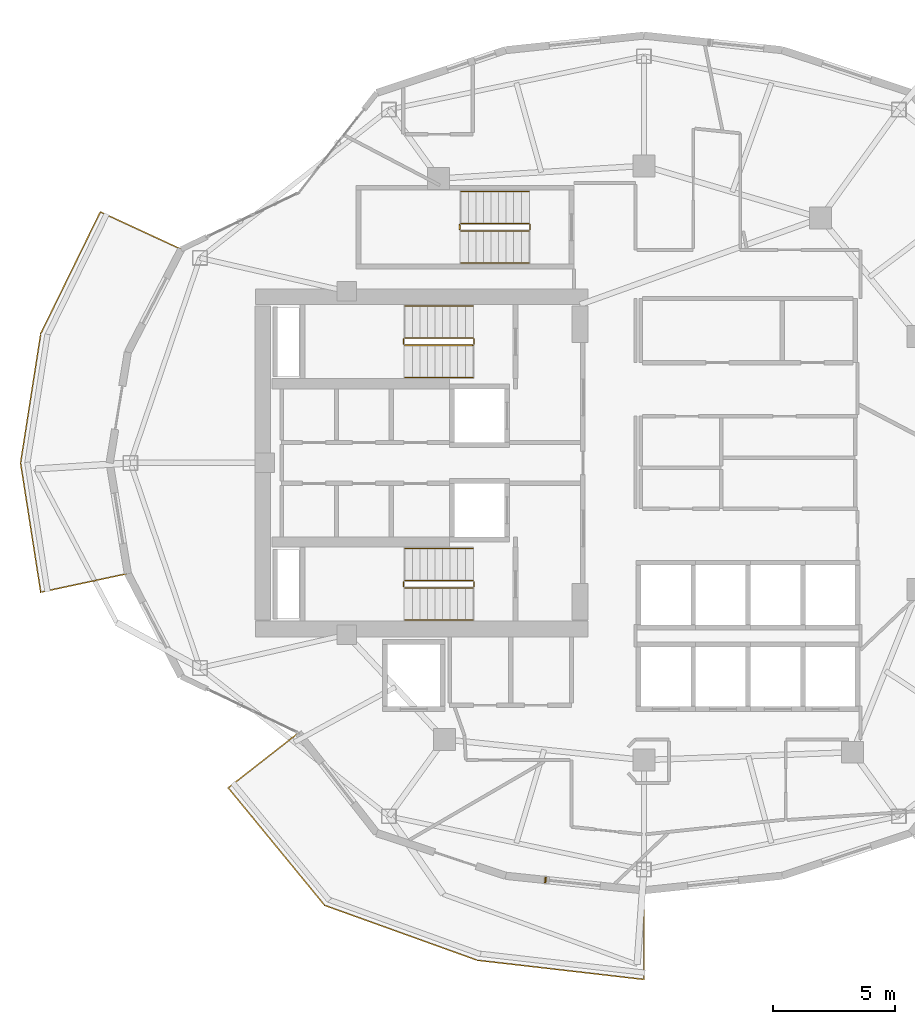
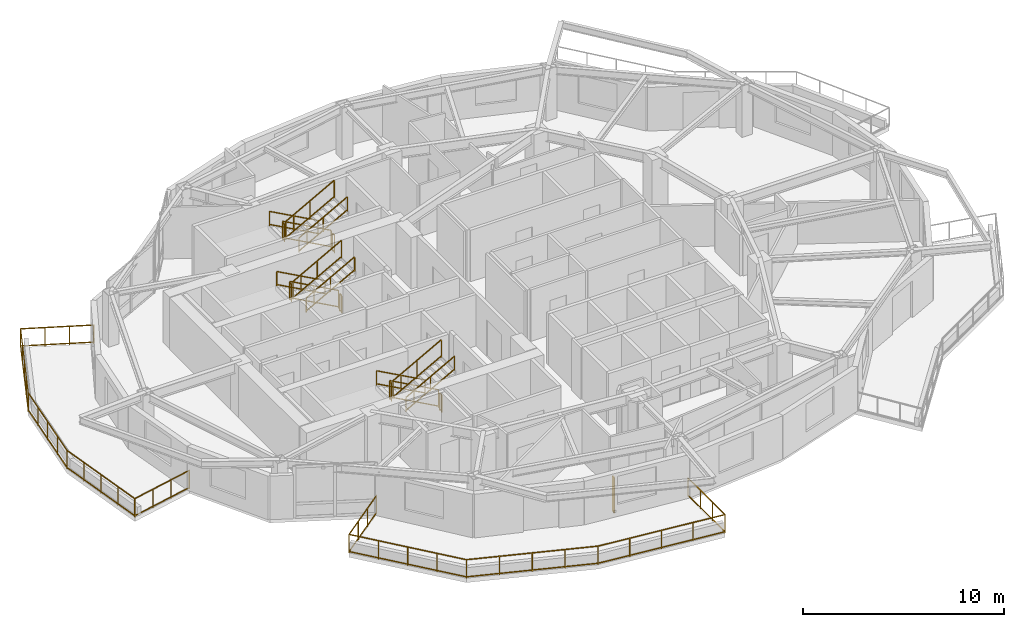
# One storey, part 12 of 13: 20 railings, 1 shading device.
"""IFC4 building model written with IfcOpenShell, lengths in metres."""

from ifc_helpers import new_model, si_unit, direction, frame, origin, origin_2d, place, context, subcontext, project, spatial, rectangle, extrude, material, type_object, element, save


model = new_model("IFC4")

# Units and contexts
model_context = context("Model", 3, precision=1e-05, world=origin(), true_north=direction((0.0, 1.0)))
body_context = subcontext(model_context, "Body", "Model", "MODEL_VIEW")
ifc_project = project(units=[si_unit("LENGTHUNIT", "METRE"), si_unit("AREAUNIT", "SQUARE_METRE"), si_unit("VOLUMEUNIT", "CUBIC_METRE"), si_unit("PLANEANGLEUNIT", "RADIAN"), si_unit("MASSUNIT", "GRAM", prefix="KILO")], contexts=[model_context])

# Site, building, storey
site_placement = place(None, origin())
site = spatial("IfcSite", under=ifc_project, at=site_placement, CompositionType="ELEMENT")
building_placement = place(site_placement, origin())
building = spatial("IfcBuilding", under=site, at=building_placement, Name="Kolvaren Gate Tower and Convention Centre", CompositionType="ELEMENT")
storey_placement = place(building_placement, frame((0.0, 0.0, 156.300048828125)))
storey = spatial("IfcBuildingStorey", under=building, at=storey_placement, Name="L40", CompositionType="ELEMENT", Elevation=156.300048828125)

# Railings
ifc_material_1 = material(Name="Brushed Stainless Steel Grade 316L", Category="steel")
railing_type_1 = type_object("IfcRailingType", Name="ARCH-RL-GUARD-1150", PredefinedType="GUARDRAIL", material=ifc_material_1)
railing_1_placement = place(storey_placement, frame((23.10009765625, 32.1298828125, 0.169921875)))
element("IfcRailing", 1, at=railing_1_placement, inside=storey, type_object=railing_type_1, Name="L40 ST-T1 stair guard 1", PredefinedType="GUARDRAIL", context=body_context, shape_type="SweptSolid", body=[
    extrude(rectangle(XDim=0.048095703125, YDim=0.048095703125, at=origin_2d()), frame((0.0, 0.0, 1.076171875), z_axis=(-0.876811365212, 0.0, 0.480834513982), x_axis=(0.0, -1.0, 0.0)), (0.0, 0.0, 1.0), 3.18212890625),
    extrude(rectangle(XDim=0.048095703125, YDim=0.048095703125, at=origin_2d()), frame((0.0, 0.0, 0.083984375), z_axis=(-0.876811365212, 0.0, 0.480834513982), x_axis=(0.0, -1.0, 0.0)), (0.0, 0.0, 1.0), 3.18212890625),
    extrude(rectangle(XDim=0.0419921875, YDim=0.0419921875, at=origin_2d()), origin(), (0.0, 0.0, 1.0), 1.050048828125),
    extrude(rectangle(XDim=0.0419921875, YDim=0.0419921875, at=origin_2d()), frame((-2.7900390625, 0.0, 1.530029296875)), (0.0, 0.0, 1.0), 1.050048828125),
    extrude(rectangle(XDim=0.0419921875, YDim=0.0419921875, at=origin_2d()), frame((-1.39501953125, 0.0, 0.76513671875)), (0.0, 0.0, 1.0), 1.050048828125),
])
railing_2_placement = place(storey_placement, frame((20.260009765625, 32.080078125, 1.699951171875)))
element("IfcRailing", 2, at=railing_2_placement, inside=storey, type_object=railing_type_1, Name="L40 ST-T1 stair guard 2", PredefinedType="GUARDRAIL", context=body_context, shape_type="SweptSolid", body=[
    extrude(rectangle(XDim=0.048095703125, YDim=0.048095703125, at=origin_2d()), frame((0.0, 0.0, 1.076171875), z_axis=(0.0, -1.0, 0.0), x_axis=(1.0, 0.0, 0.0)), (0.0, 0.0, 1.0), 0.2001953125),
    extrude(rectangle(XDim=0.048095703125, YDim=0.048095703125, at=origin_2d()), frame((0.0, 0.0, 0.083984375), z_axis=(0.0, -1.0, 0.0), x_axis=(1.0, 0.0, 0.0)), (0.0, 0.0, 1.0), 0.2001953125),
    extrude(rectangle(XDim=0.0419921875, YDim=0.0419921875, at=origin_2d()), origin(), (0.0, 0.0, 1.0), 1.050048828125),
    extrude(rectangle(XDim=0.0419921875, YDim=0.0419921875, at=origin_2d()), frame((0.0, -0.2001953125, 0.0)), (0.0, 0.0, 1.0), 1.050048828125),
])
railing_3_placement = place(storey_placement, frame((20.31005859375, 31.830078125, 1.869873046875)))
element("IfcRailing", 3, at=railing_3_placement, inside=storey, type_object=railing_type_1, Name="L40 ST-T1 stair guard 3", PredefinedType="GUARDRAIL", context=body_context, shape_type="SweptSolid", body=[
    extrude(rectangle(XDim=0.048095703125, YDim=0.048095703125, at=origin_2d()), frame((0.0, 0.0, 1.076171875), z_axis=(0.876811365212, 0.0, 0.480834513982), x_axis=(0.0, 1.0, 0.0)), (0.0, 0.0, 1.0), 3.18212890625),
    extrude(rectangle(XDim=0.048095703125, YDim=0.048095703125, at=origin_2d()), frame((0.0, 0.0, 0.083984375), z_axis=(0.876811365212, 0.0, 0.480834513982), x_axis=(0.0, 1.0, 0.0)), (0.0, 0.0, 1.0), 3.18212890625),
    extrude(rectangle(XDim=0.0419921875, YDim=0.0419921875, at=origin_2d()), origin(), (0.0, 0.0, 1.0), 1.050048828125),
    extrude(rectangle(XDim=0.0419921875, YDim=0.0419921875, at=origin_2d()), frame((2.7900390625, 0.0, 1.530029296875)), (0.0, 0.0, 1.0), 1.050048828125),
    extrude(rectangle(XDim=0.0419921875, YDim=0.0419921875, at=origin_2d()), frame((1.39501953125, 0.0, 0.76513671875)), (0.0, 0.0, 1.0), 1.050048828125),
])
railing_4_placement = place(storey_placement, frame((23.14990234375, 32.080078125, 0.0)))
element("IfcRailing", 4, at=railing_4_placement, inside=storey, type_object=railing_type_1, Name="L40 ST-T1 stair guard 4", PredefinedType="GUARDRAIL", context=body_context, shape_type="SweptSolid", body=[
    extrude(rectangle(XDim=0.048095703125, YDim=0.048095703125, at=origin_2d()), frame((0.0, 0.0, 1.076171875), z_axis=(0.0, -1.0, 0.0), x_axis=(1.0, 0.0, 0.0)), (0.0, 0.0, 1.0), 0.2001953125),
    extrude(rectangle(XDim=0.048095703125, YDim=0.048095703125, at=origin_2d()), frame((0.0, 0.0, 0.083984375), z_axis=(0.0, -1.0, 0.0), x_axis=(1.0, 0.0, 0.0)), (0.0, 0.0, 1.0), 0.2001953125),
    extrude(rectangle(XDim=0.0419921875, YDim=0.0419921875, at=origin_2d()), origin(), (0.0, 0.0, 1.0), 1.050048828125),
    extrude(rectangle(XDim=0.0419921875, YDim=0.0419921875, at=origin_2d()), frame((0.0, -0.2001953125, 0.0)), (0.0, 0.0, 1.0), 1.050048828125),
])
railing_5_placement = place(storey_placement, frame((23.10009765625, 22.169921875, 0.169921875)))
element("IfcRailing", 5, at=railing_5_placement, inside=storey, type_object=railing_type_1, Name="L40 ST-T2 stair guard 1", PredefinedType="GUARDRAIL", context=body_context, shape_type="SweptSolid", body=[
    extrude(rectangle(XDim=0.048095703125, YDim=0.048095703125, at=origin_2d()), frame((0.0, 0.0, 1.076171875), z_axis=(-0.876811365212, 0.0, 0.480834513982), x_axis=(0.0, -1.0, 0.0)), (0.0, 0.0, 1.0), 3.18212890625),
    extrude(rectangle(XDim=0.048095703125, YDim=0.048095703125, at=origin_2d()), frame((0.0, 0.0, 0.083984375), z_axis=(-0.876811365212, 0.0, 0.480834513982), x_axis=(0.0, -1.0, 0.0)), (0.0, 0.0, 1.0), 3.18212890625),
    extrude(rectangle(XDim=0.0419921875, YDim=0.0419921875, at=origin_2d()), origin(), (0.0, 0.0, 1.0), 1.050048828125),
    extrude(rectangle(XDim=0.0419921875, YDim=0.0419921875, at=origin_2d()), frame((-2.7900390625, 0.0, 1.530029296875)), (0.0, 0.0, 1.0), 1.050048828125),
    extrude(rectangle(XDim=0.0419921875, YDim=0.0419921875, at=origin_2d()), frame((-1.39501953125, 0.0, 0.76513671875)), (0.0, 0.0, 1.0), 1.050048828125),
])
railing_6_placement = place(storey_placement, frame((20.260009765625, 22.1201171875, 1.699951171875)))
element("IfcRailing", 6, at=railing_6_placement, inside=storey, type_object=railing_type_1, Name="L40 ST-T2 stair guard 2", PredefinedType="GUARDRAIL", context=body_context, shape_type="SweptSolid", body=[
    extrude(rectangle(XDim=0.048095703125, YDim=0.048095703125, at=origin_2d()), frame((0.0, 0.0, 1.076171875), z_axis=(0.0, -1.0, 0.0), x_axis=(1.0, 0.0, 0.0)), (0.0, 0.0, 1.0), 0.2001953125),
    extrude(rectangle(XDim=0.048095703125, YDim=0.048095703125, at=origin_2d()), frame((0.0, 0.0, 0.083984375), z_axis=(0.0, -1.0, 0.0), x_axis=(1.0, 0.0, 0.0)), (0.0, 0.0, 1.0), 0.2001953125),
    extrude(rectangle(XDim=0.0419921875, YDim=0.0419921875, at=origin_2d()), origin(), (0.0, 0.0, 1.0), 1.050048828125),
    extrude(rectangle(XDim=0.0419921875, YDim=0.0419921875, at=origin_2d()), frame((0.0, -0.2001953125, 0.0)), (0.0, 0.0, 1.0), 1.050048828125),
])
railing_7_placement = place(storey_placement, frame((20.31005859375, 21.8701171875, 1.869873046875)))
element("IfcRailing", 7, at=railing_7_placement, inside=storey, type_object=railing_type_1, Name="L40 ST-T2 stair guard 3", PredefinedType="GUARDRAIL", context=body_context, shape_type="SweptSolid", body=[
    extrude(rectangle(XDim=0.048095703125, YDim=0.048095703125, at=origin_2d()), frame((0.0, 0.0, 1.076171875), z_axis=(0.876811365212, 0.0, 0.480834513982), x_axis=(0.0, 1.0, 0.0)), (0.0, 0.0, 1.0), 3.18212890625),
    extrude(rectangle(XDim=0.048095703125, YDim=0.048095703125, at=origin_2d()), frame((0.0, 0.0, 0.083984375), z_axis=(0.876811365212, 0.0, 0.480834513982), x_axis=(0.0, 1.0, 0.0)), (0.0, 0.0, 1.0), 3.18212890625),
    extrude(rectangle(XDim=0.0419921875, YDim=0.0419921875, at=origin_2d()), origin(), (0.0, 0.0, 1.0), 1.050048828125),
    extrude(rectangle(XDim=0.0419921875, YDim=0.0419921875, at=origin_2d()), frame((2.7900390625, 0.0, 1.530029296875)), (0.0, 0.0, 1.0), 1.050048828125),
    extrude(rectangle(XDim=0.0419921875, YDim=0.0419921875, at=origin_2d()), frame((1.39501953125, 0.0, 0.76513671875)), (0.0, 0.0, 1.0), 1.050048828125),
])
railing_8_placement = place(storey_placement, frame((23.14990234375, 22.1201171875, 0.0)))
element("IfcRailing", 8, at=railing_8_placement, inside=storey, type_object=railing_type_1, Name="L40 ST-T2 stair guard 4", PredefinedType="GUARDRAIL", context=body_context, shape_type="SweptSolid", body=[
    extrude(rectangle(XDim=0.048095703125, YDim=0.048095703125, at=origin_2d()), frame((0.0, 0.0, 1.076171875), z_axis=(0.0, -1.0, 0.0), x_axis=(1.0, 0.0, 0.0)), (0.0, 0.0, 1.0), 0.2001953125),
    extrude(rectangle(XDim=0.048095703125, YDim=0.048095703125, at=origin_2d()), frame((0.0, 0.0, 0.083984375), z_axis=(0.0, -1.0, 0.0), x_axis=(1.0, 0.0, 0.0)), (0.0, 0.0, 1.0), 0.2001953125),
    extrude(rectangle(XDim=0.0419921875, YDim=0.0419921875, at=origin_2d()), origin(), (0.0, 0.0, 1.0), 1.050048828125),
    extrude(rectangle(XDim=0.0419921875, YDim=0.0419921875, at=origin_2d()), frame((0.0, -0.2001953125, 0.0)), (0.0, 0.0, 1.0), 1.050048828125),
])
railing_9_placement = place(storey_placement, frame((25.39990234375, 36.830078125, 0.169921875)))
element("IfcRailing", 9, at=railing_9_placement, inside=storey, type_object=railing_type_1, Name="L40 ST-T3 stair guard 1", PredefinedType="GUARDRAIL", context=body_context, shape_type="SweptSolid", body=[
    extrude(rectangle(XDim=0.048095703125, YDim=0.048095703125, at=origin_2d()), frame((0.0, 0.0, 1.076171875), z_axis=(-0.8767936245, 0.0, 0.480866863109), x_axis=(0.0, -1.0, 0.0)), (0.0, 0.0, 1.0), 3.181884765625),
    extrude(rectangle(XDim=0.048095703125, YDim=0.048095703125, at=origin_2d()), frame((0.0, 0.0, 0.083984375), z_axis=(-0.8767936245, 0.0, 0.480866863109), x_axis=(0.0, -1.0, 0.0)), (0.0, 0.0, 1.0), 3.181884765625),
    extrude(rectangle(XDim=0.0419921875, YDim=0.0419921875, at=origin_2d()), origin(), (0.0, 0.0, 1.0), 1.050048828125),
    extrude(rectangle(XDim=0.0419921875, YDim=0.0419921875, at=origin_2d()), frame((-2.789794921875, 0.0, 1.530029296875)), (0.0, 0.0, 1.0), 1.050048828125),
    extrude(rectangle(XDim=0.0419921875, YDim=0.0419921875, at=origin_2d()), frame((-1.39501953125, 0.0, 0.76513671875)), (0.0, 0.0, 1.0), 1.050048828125),
])
railing_10_placement = place(storey_placement, frame((22.56005859375, 36.780029296875, 1.699951171875)))
element("IfcRailing", 10, at=railing_10_placement, inside=storey, type_object=railing_type_1, Name="L40 ST-T3 stair guard 2", PredefinedType="GUARDRAIL", context=body_context, shape_type="SweptSolid", body=[
    extrude(rectangle(XDim=0.048095703125, YDim=0.048095703125, at=origin_2d()), frame((0.0, 0.0, 1.076171875), z_axis=(0.0, -1.0, 0.0), x_axis=(1.0, 0.0, 0.0)), (0.0, 0.0, 1.0), 0.199951171875),
    extrude(rectangle(XDim=0.048095703125, YDim=0.048095703125, at=origin_2d()), frame((0.0, 0.0, 0.083984375), z_axis=(0.0, -1.0, 0.0), x_axis=(1.0, 0.0, 0.0)), (0.0, 0.0, 1.0), 0.199951171875),
    extrude(rectangle(XDim=0.0419921875, YDim=0.0419921875, at=origin_2d()), origin(), (0.0, 0.0, 1.0), 1.050048828125),
    extrude(rectangle(XDim=0.0419921875, YDim=0.0419921875, at=origin_2d()), frame((0.0, -0.199951171875, 0.0)), (0.0, 0.0, 1.0), 1.050048828125),
])
railing_11_placement = place(storey_placement, frame((22.610107421875, 36.530029296875, 1.869873046875)))
element("IfcRailing", 11, at=railing_11_placement, inside=storey, type_object=railing_type_1, Name="L40 ST-T3 stair guard 3", PredefinedType="GUARDRAIL", context=body_context, shape_type="SweptSolid", body=[
    extrude(rectangle(XDim=0.048095703125, YDim=0.048095703125, at=origin_2d()), frame((0.0, 0.0, 1.076171875), z_axis=(0.8767936245, 0.0, 0.480866863109), x_axis=(0.0, 1.0, 0.0)), (0.0, 0.0, 1.0), 3.181884765625),
    extrude(rectangle(XDim=0.048095703125, YDim=0.048095703125, at=origin_2d()), frame((0.0, 0.0, 0.083984375), z_axis=(0.8767936245, 0.0, 0.480866863109), x_axis=(0.0, 1.0, 0.0)), (0.0, 0.0, 1.0), 3.181884765625),
    extrude(rectangle(XDim=0.0419921875, YDim=0.0419921875, at=origin_2d()), origin(), (0.0, 0.0, 1.0), 1.050048828125),
    extrude(rectangle(XDim=0.0419921875, YDim=0.0419921875, at=origin_2d()), frame((2.789794921875, 0.0, 1.530029296875)), (0.0, 0.0, 1.0), 1.050048828125),
    extrude(rectangle(XDim=0.0419921875, YDim=0.0419921875, at=origin_2d()), frame((1.39501953125, 0.0, 0.76513671875)), (0.0, 0.0, 1.0), 1.050048828125),
])
railing_12_placement = place(storey_placement, frame((25.449951171875, 36.780029296875, 0.0)))
element("IfcRailing", 12, at=railing_12_placement, inside=storey, type_object=railing_type_1, Name="L40 ST-T3 stair guard 4", PredefinedType="GUARDRAIL", context=body_context, shape_type="SweptSolid", body=[
    extrude(rectangle(XDim=0.048095703125, YDim=0.048095703125, at=origin_2d()), frame((0.0, 0.0, 1.076171875), z_axis=(0.0, -1.0, 0.0), x_axis=(1.0, 0.0, 0.0)), (0.0, 0.0, 1.0), 0.199951171875),
    extrude(rectangle(XDim=0.048095703125, YDim=0.048095703125, at=origin_2d()), frame((0.0, 0.0, 0.083984375), z_axis=(0.0, -1.0, 0.0), x_axis=(1.0, 0.0, 0.0)), (0.0, 0.0, 1.0), 0.199951171875),
    extrude(rectangle(XDim=0.0419921875, YDim=0.0419921875, at=origin_2d()), origin(), (0.0, 0.0, 1.0), 1.050048828125),
    extrude(rectangle(XDim=0.0419921875, YDim=0.0419921875, at=origin_2d()), frame((0.0, -0.199951171875, 0.0)), (0.0, 0.0, 1.0), 1.050048828125),
])
railing_13_placement = place(storey_placement, frame((11.126708984375, 35.77490234375, 0.0)))
element("IfcRailing", 13, at=railing_13_placement, inside=storey, type_object=railing_type_1, Name="Tower L40 Terrace Perimeter Guardrail GR-2", PredefinedType="GUARDRAIL", context=body_context, shape_type="SweptSolid", body=[
    extrude(rectangle(XDim=0.048095703125, YDim=0.048095703125, at=origin_2d()), frame((-0.025390625, 0.01171875, 1.1259765625), z_axis=(-0.907820723829, 0.419358478377, 0.0), x_axis=(-0.419358478377, -0.907820723829, 0.0)), (0.0, 0.0, 1.0), 3.60400390625),
    extrude(rectangle(XDim=0.048095703125, YDim=0.048095703125, at=origin_2d()), frame((-0.025390625, 0.01171875, 0.083984375), z_axis=(-0.907820723829, 0.419358478377, 0.0), x_axis=(-0.419358478377, -0.907820723829, 0.0)), (0.0, 0.0, 1.0), 3.60400390625),
    extrude(rectangle(XDim=0.048095703125, YDim=0.048095703125, at=origin_2d()), frame((-3.335205078125, 1.509765625, 1.1259765625), z_axis=(-0.439655234701, -0.898166618507, 0.0), x_axis=(0.898166618507, -0.439655234701, 0.0)), (0.0, 0.0, 1.0), 5.51123046875),
    extrude(rectangle(XDim=0.048095703125, YDim=0.048095703125, at=origin_2d()), frame((-3.335205078125, 1.509765625, 0.083984375), z_axis=(-0.439655234701, -0.898166618507, 0.0), x_axis=(0.898166618507, -0.439655234701, 0.0)), (0.0, 0.0, 1.0), 5.51123046875),
    extrude(rectangle(XDim=0.048095703125, YDim=0.048095703125, at=origin_2d()), frame((-5.77490234375, -3.493408203125, 1.1259765625), z_axis=(-0.154200861408, -0.988039520637, 0.0), x_axis=(0.988039520637, -0.154200861408, 0.0)), (0.0, 0.0, 1.0), 5.3173828125),
    extrude(rectangle(XDim=0.048095703125, YDim=0.048095703125, at=origin_2d()), frame((-5.77490234375, -3.493408203125, 0.083984375), z_axis=(-0.154200861408, -0.988039520637, 0.0), x_axis=(0.988039520637, -0.154200861408, 0.0)), (0.0, 0.0, 1.0), 5.3173828125),
    extrude(rectangle(XDim=0.048095703125, YDim=0.048095703125, at=origin_2d()), frame((-6.5947265625, -8.802734375, 1.1259765625), z_axis=(0.154200861408, -0.988039520637, 0.0), x_axis=(0.988039520637, 0.154200861408, 0.0)), (0.0, 0.0, 1.0), 5.3173828125),
    extrude(rectangle(XDim=0.048095703125, YDim=0.048095703125, at=origin_2d()), frame((-6.5947265625, -8.802734375, 0.083984375), z_axis=(0.154200861408, -0.988039520637, 0.0), x_axis=(0.988039520637, 0.154200861408, 0.0)), (0.0, 0.0, 1.0), 5.3173828125),
    extrude(rectangle(XDim=0.048095703125, YDim=0.048095703125, at=origin_2d()), frame((-5.7431640625, -14.078369140625, 1.1259765625), z_axis=(0.977791675321, 0.209579196661, 0.0), x_axis=(-0.209579196661, 0.977791675321, 0.0)), (0.0, 0.0, 1.0), 3.60400390625),
    extrude(rectangle(XDim=0.048095703125, YDim=0.048095703125, at=origin_2d()), frame((-5.7431640625, -14.078369140625, 0.083984375), z_axis=(0.977791675321, 0.209579196661, 0.0), x_axis=(-0.209579196661, 0.977791675321, 0.0)), (0.0, 0.0, 1.0), 3.60400390625),
    extrude(rectangle(XDim=0.0419921875, YDim=0.0419921875, at=origin_2d()), origin(), (0.0, 0.0, 1.0), 1.14990234375),
    extrude(rectangle(XDim=0.0419921875, YDim=0.0419921875, at=origin_2d()), frame((-3.32275390625, 1.534912109375, 0.0)), (0.0, 0.0, 1.0), 1.14990234375),
    extrude(rectangle(XDim=0.0419921875, YDim=0.0419921875, at=origin_2d()), frame((-1.107666015625, 0.51171875, 0.0)), (0.0, 0.0, 1.0), 1.099853515625),
    extrude(rectangle(XDim=0.0419921875, YDim=0.0419921875, at=origin_2d()), frame((-2.215087890625, 1.023193359375, 0.0)), (0.0, 0.0, 1.0), 1.099853515625),
    extrude(rectangle(XDim=0.0419921875, YDim=0.0419921875, at=origin_2d()), frame((-5.7705078125, -3.465576171875, 0.0)), (0.0, 0.0, 1.0), 1.14990234375),
    extrude(rectangle(XDim=0.0419921875, YDim=0.0419921875, at=origin_2d()), frame((-3.9345703125, 0.28466796875, 0.0)), (0.0, 0.0, 1.0), 1.099853515625),
    extrude(rectangle(XDim=0.0419921875, YDim=0.0419921875, at=origin_2d()), frame((-4.546630859375, -0.96533203125, 0.0)), (0.0, 0.0, 1.0), 1.099853515625),
    extrude(rectangle(XDim=0.0419921875, YDim=0.0419921875, at=origin_2d()), frame((-5.15869140625, -2.21533203125, 0.0)), (0.0, 0.0, 1.0), 1.099853515625),
    extrude(rectangle(XDim=0.0419921875, YDim=0.0419921875, at=origin_2d()), frame((-6.59912109375, -8.77490234375, 0.0)), (0.0, 0.0, 1.0), 1.14990234375),
    extrude(rectangle(XDim=0.0419921875, YDim=0.0419921875, at=origin_2d()), frame((-5.9775390625, -4.79296875, 0.0)), (0.0, 0.0, 1.0), 1.099853515625),
    extrude(rectangle(XDim=0.0419921875, YDim=0.0419921875, at=origin_2d()), frame((-6.184814453125, -6.1201171875, 0.0)), (0.0, 0.0, 1.0), 1.099853515625),
    extrude(rectangle(XDim=0.0419921875, YDim=0.0419921875, at=origin_2d()), frame((-6.39208984375, -7.447509765625, 0.0)), (0.0, 0.0, 1.0), 1.099853515625),
    extrude(rectangle(XDim=0.0419921875, YDim=0.0419921875, at=origin_2d()), frame((-5.7705078125, -14.084228515625, 0.0)), (0.0, 0.0, 1.0), 1.14990234375),
    extrude(rectangle(XDim=0.0419921875, YDim=0.0419921875, at=origin_2d()), frame((-6.39208984375, -10.102294921875, 0.0)), (0.0, 0.0, 1.0), 1.099853515625),
    extrude(rectangle(XDim=0.0419921875, YDim=0.0419921875, at=origin_2d()), frame((-6.184814453125, -11.4296875, 0.0)), (0.0, 0.0, 1.0), 1.099853515625),
    extrude(rectangle(XDim=0.0419921875, YDim=0.0419921875, at=origin_2d()), frame((-5.9775390625, -12.7568359375, 0.0)), (0.0, 0.0, 1.0), 1.099853515625),
    extrude(rectangle(XDim=0.0419921875, YDim=0.0419921875, at=origin_2d()), frame((-2.191650390625, -13.317138671875, 0.0)), (0.0, 0.0, 1.0), 1.14990234375),
    extrude(rectangle(XDim=0.0419921875, YDim=0.0419921875, at=origin_2d()), frame((-4.57763671875, -13.82861328125, 0.0)), (0.0, 0.0, 1.0), 1.099853515625),
    extrude(rectangle(XDim=0.0419921875, YDim=0.0419921875, at=origin_2d()), frame((-3.384521484375, -13.57275390625, 0.0)), (0.0, 0.0, 1.0), 1.099853515625),
])
railing_14_placement = place(storey_placement, frame((15.9365234375, 15.9140625, 0.0)))
element("IfcRailing", 14, at=railing_14_placement, inside=storey, type_object=railing_type_1, Name="Tower L40 Terrace Perimeter Guardrail GR-3", PredefinedType="GUARDRAIL", context=body_context, shape_type="SweptSolid", body=[
    extrude(rectangle(XDim=0.048095703125, YDim=0.048095703125, at=origin_2d()), frame((-0.022216796875, -0.017333984375, 1.1259765625), z_axis=(-0.787988976981, -0.61568934712, 0.0), x_axis=(0.61568934712, -0.787988976981, 0.0)), (0.0, 0.0, 1.0), 3.60400390625),
    extrude(rectangle(XDim=0.048095703125, YDim=0.048095703125, at=origin_2d()), frame((-0.022216796875, -0.017333984375, 0.083984375), z_axis=(-0.787988976981, -0.61568934712, 0.0), x_axis=(0.61568934712, -0.787988976981, 0.0)), (0.0, 0.0, 1.0), 3.60400390625),
    extrude(rectangle(XDim=0.048095703125, YDim=0.048095703125, at=origin_2d()), frame((-2.8662109375, -2.275146484375, 1.1259765625), z_axis=(0.634429234628, -0.77298094818, 0.0), x_axis=(0.77298094818, 0.634429234628, 0.0)), (0.0, 0.0, 1.0), 6.188720703125),
    extrude(rectangle(XDim=0.048095703125, YDim=0.048095703125, at=origin_2d()), frame((-2.8662109375, -2.275146484375, 0.083984375), z_axis=(0.634429234628, -0.77298094818, 0.0), x_axis=(0.77298094818, 0.634429234628, 0.0)), (0.0, 0.0, 1.0), 6.188720703125),
    extrude(rectangle(XDim=0.048095703125, YDim=0.048095703125, at=origin_2d()), frame((1.104248046875, -7.090087890625, 1.1259765625), z_axis=(0.940948576924, -0.338549517184, 0.0), x_axis=(0.338549517184, 0.940948576924, 0.0)), (0.0, 0.0, 1.0), 6.60791015625),
    extrude(rectangle(XDim=0.048095703125, YDim=0.048095703125, at=origin_2d()), frame((1.104248046875, -7.090087890625, 0.083984375), z_axis=(0.940948576924, -0.338549517184, 0.0), x_axis=(0.338549517184, 0.940948576924, 0.0)), (0.0, 0.0, 1.0), 6.60791015625),
    extrude(rectangle(XDim=0.048095703125, YDim=0.048095703125, at=origin_2d()), frame((7.376220703125, -9.33984375, 1.1259765625), z_axis=(0.993440112849, -0.114353584036, 0.0), x_axis=(0.114353584036, 0.993440112849, 0.0)), (0.0, 0.0, 1.0), 6.8291015625),
    extrude(rectangle(XDim=0.048095703125, YDim=0.048095703125, at=origin_2d()), frame((7.376220703125, -9.33984375, 0.083984375), z_axis=(0.993440112849, -0.114353584036, 0.0), x_axis=(0.114353584036, 0.993440112849, 0.0)), (0.0, 0.0, 1.0), 6.8291015625),
    extrude(rectangle(XDim=0.048095703125, YDim=0.048095703125, at=origin_2d()), frame((14.1884765625, -10.095947265625, 1.1259765625), z_axis=(0.0, 1.0, 0.0), x_axis=(-1.0, 0.0, 0.0)), (0.0, 0.0, 1.0), 3.603759765625),
    extrude(rectangle(XDim=0.048095703125, YDim=0.048095703125, at=origin_2d()), frame((14.1884765625, -10.095947265625, 0.083984375), z_axis=(0.0, 1.0, 0.0), x_axis=(-1.0, 0.0, 0.0)), (0.0, 0.0, 1.0), 3.603759765625),
    extrude(rectangle(XDim=0.0419921875, YDim=0.0419921875, at=origin_2d()), origin(), (0.0, 0.0, 1.0), 1.14990234375),
    extrude(rectangle(XDim=0.0419921875, YDim=0.0419921875, at=origin_2d()), frame((-2.884033203125, -2.25341796875, 0.0)), (0.0, 0.0, 1.0), 1.14990234375),
    extrude(rectangle(XDim=0.0419921875, YDim=0.0419921875, at=origin_2d()), frame((-0.96142578125, -0.751220703125, 0.0)), (0.0, 0.0, 1.0), 1.099853515625),
    extrude(rectangle(XDim=0.0419921875, YDim=0.0419921875, at=origin_2d()), frame((-1.922607421875, -1.502197265625, 0.0)), (0.0, 0.0, 1.0), 1.099853515625),
    extrude(rectangle(XDim=0.0419921875, YDim=0.0419921875, at=origin_2d()), frame((1.077880859375, -7.08056640625, 0.0)), (0.0, 0.0, 1.0), 1.14990234375),
    extrude(rectangle(XDim=0.0419921875, YDim=0.0419921875, at=origin_2d()), frame((-1.8935546875, -3.460205078125, 0.0)), (0.0, 0.0, 1.0), 1.099853515625),
    extrude(rectangle(XDim=0.0419921875, YDim=0.0419921875, at=origin_2d()), frame((-0.903076171875, -4.6669921875, 0.0)), (0.0, 0.0, 1.0), 1.099853515625),
    extrude(rectangle(XDim=0.0419921875, YDim=0.0419921875, at=origin_2d()), frame((0.08740234375, -5.873779296875, 0.0)), (0.0, 0.0, 1.0), 1.099853515625),
    extrude(rectangle(XDim=0.0419921875, YDim=0.0419921875, at=origin_2d()), frame((7.348388671875, -9.336669921875, 0.0)), (0.0, 0.0, 1.0), 1.14990234375),
    extrude(rectangle(XDim=0.0419921875, YDim=0.0419921875, at=origin_2d()), frame((2.6455078125, -7.64453125, 0.0)), (0.0, 0.0, 1.0), 1.099853515625),
    extrude(rectangle(XDim=0.0419921875, YDim=0.0419921875, at=origin_2d()), frame((4.213134765625, -8.20849609375, 0.0)), (0.0, 0.0, 1.0), 1.099853515625),
    extrude(rectangle(XDim=0.0419921875, YDim=0.0419921875, at=origin_2d()), frame((5.78076171875, -8.772705078125, 0.0)), (0.0, 0.0, 1.0), 1.099853515625),
    extrude(rectangle(XDim=0.0419921875, YDim=0.0419921875, at=origin_2d()), frame((14.1884765625, -10.1240234375, 0.0)), (0.0, 0.0, 1.0), 1.14990234375),
    extrude(rectangle(XDim=0.0419921875, YDim=0.0419921875, at=origin_2d()), frame((9.058349609375, -9.533447265625, 0.0)), (0.0, 0.0, 1.0), 1.099853515625),
    extrude(rectangle(XDim=0.0419921875, YDim=0.0419921875, at=origin_2d()), frame((10.7685546875, -9.73046875, 0.0)), (0.0, 0.0, 1.0), 1.099853515625),
    extrude(rectangle(XDim=0.0419921875, YDim=0.0419921875, at=origin_2d()), frame((12.478515625, -9.92724609375, 0.0)), (0.0, 0.0, 1.0), 1.099853515625),
    extrude(rectangle(XDim=0.0419921875, YDim=0.0419921875, at=origin_2d()), frame((14.1884765625, -6.464111328125, 0.0)), (0.0, 0.0, 1.0), 1.14990234375),
    extrude(rectangle(XDim=0.0419921875, YDim=0.0419921875, at=origin_2d()), frame((14.1884765625, -8.904052734375, 0.0)), (0.0, 0.0, 1.0), 1.099853515625),
    extrude(rectangle(XDim=0.0419921875, YDim=0.0419921875, at=origin_2d()), frame((14.1884765625, -7.68408203125, 0.0)), (0.0, 0.0, 1.0), 1.099853515625),
])
railing_type_2 = type_object("IfcRailingType", Name="ARCH-RL-HANDRAIL-920", PredefinedType="HANDRAIL", material=ifc_material_1)
railing_15_placement = place(storey_placement, frame((23.10009765625, 33.449951171875, 0.169921875)))
element("IfcRailing", 15, at=railing_15_placement, inside=storey, type_object=railing_type_2, Name="L40 ST-T1 stair handrail 1", PredefinedType="HANDRAIL", context=body_context, shape_type="SweptSolid", body=[
    extrude(rectangle(XDim=0.048095703125, YDim=0.048095703125, at=origin_2d()), frame((0.0, 0.0, 0.8759765625), z_axis=(-0.876811365212, 0.0, 0.480834513982), x_axis=(0.0, -1.0, 0.0)), (0.0, 0.0, 1.0), 3.18212890625),
    extrude(rectangle(XDim=0.048095703125, YDim=0.048095703125, at=origin_2d()), frame((0.0, 0.0, 0.083984375), z_axis=(-0.876811365212, 0.0, 0.480834513982), x_axis=(0.0, -1.0, 0.0)), (0.0, 0.0, 1.0), 3.18212890625),
    extrude(rectangle(XDim=0.0419921875, YDim=0.0419921875, at=origin_2d()), origin(), (0.0, 0.0, 1.0), 0.849853515625),
    extrude(rectangle(XDim=0.0419921875, YDim=0.0419921875, at=origin_2d()), frame((-2.7900390625, 0.0, 1.530029296875)), (0.0, 0.0, 1.0), 0.849853515625),
    extrude(rectangle(XDim=0.0419921875, YDim=0.0419921875, at=origin_2d()), frame((-1.39501953125, 0.0, 0.76513671875)), (0.0, 0.0, 1.0), 0.849853515625),
])
railing_16_placement = place(storey_placement, frame((20.31005859375, 30.510009765625, 1.869873046875)))
element("IfcRailing", 16, at=railing_16_placement, inside=storey, type_object=railing_type_2, Name="L40 ST-T1 stair handrail 2", PredefinedType="HANDRAIL", context=body_context, shape_type="SweptSolid", body=[
    extrude(rectangle(XDim=0.048095703125, YDim=0.048095703125, at=origin_2d()), frame((0.0, 0.0, 0.8759765625), z_axis=(0.876811365212, 0.0, 0.480834513982), x_axis=(0.0, 1.0, 0.0)), (0.0, 0.0, 1.0), 3.18212890625),
    extrude(rectangle(XDim=0.048095703125, YDim=0.048095703125, at=origin_2d()), frame((0.0, 0.0, 0.083984375), z_axis=(0.876811365212, 0.0, 0.480834513982), x_axis=(0.0, 1.0, 0.0)), (0.0, 0.0, 1.0), 3.18212890625),
    extrude(rectangle(XDim=0.0419921875, YDim=0.0419921875, at=origin_2d()), origin(), (0.0, 0.0, 1.0), 0.849853515625),
    extrude(rectangle(XDim=0.0419921875, YDim=0.0419921875, at=origin_2d()), frame((2.7900390625, 0.0, 1.530029296875)), (0.0, 0.0, 1.0), 0.849853515625),
    extrude(rectangle(XDim=0.0419921875, YDim=0.0419921875, at=origin_2d()), frame((1.39501953125, 0.0, 0.76513671875)), (0.0, 0.0, 1.0), 0.849853515625),
])
railing_17_placement = place(storey_placement, frame((23.10009765625, 23.489990234375, 0.169921875)))
element("IfcRailing", 17, at=railing_17_placement, inside=storey, type_object=railing_type_2, Name="L40 ST-T2 stair handrail 1", PredefinedType="HANDRAIL", context=body_context, shape_type="SweptSolid", body=[
    extrude(rectangle(XDim=0.048095703125, YDim=0.048095703125, at=origin_2d()), frame((0.0, 0.0, 0.8759765625), z_axis=(-0.876811365212, 0.0, 0.480834513982), x_axis=(0.0, -1.0, 0.0)), (0.0, 0.0, 1.0), 3.18212890625),
    extrude(rectangle(XDim=0.048095703125, YDim=0.048095703125, at=origin_2d()), frame((0.0, 0.0, 0.083984375), z_axis=(-0.876811365212, 0.0, 0.480834513982), x_axis=(0.0, -1.0, 0.0)), (0.0, 0.0, 1.0), 3.18212890625),
    extrude(rectangle(XDim=0.0419921875, YDim=0.0419921875, at=origin_2d()), origin(), (0.0, 0.0, 1.0), 0.849853515625),
    extrude(rectangle(XDim=0.0419921875, YDim=0.0419921875, at=origin_2d()), frame((-2.7900390625, 0.0, 1.530029296875)), (0.0, 0.0, 1.0), 0.849853515625),
    extrude(rectangle(XDim=0.0419921875, YDim=0.0419921875, at=origin_2d()), frame((-1.39501953125, 0.0, 0.76513671875)), (0.0, 0.0, 1.0), 0.849853515625),
])
railing_18_placement = place(storey_placement, frame((20.31005859375, 20.550048828125, 1.869873046875)))
element("IfcRailing", 18, at=railing_18_placement, inside=storey, type_object=railing_type_2, Name="L40 ST-T2 stair handrail 2", PredefinedType="HANDRAIL", context=body_context, shape_type="SweptSolid", body=[
    extrude(rectangle(XDim=0.048095703125, YDim=0.048095703125, at=origin_2d()), frame((0.0, 0.0, 0.8759765625), z_axis=(0.876811365212, 0.0, 0.480834513982), x_axis=(0.0, 1.0, 0.0)), (0.0, 0.0, 1.0), 3.18212890625),
    extrude(rectangle(XDim=0.048095703125, YDim=0.048095703125, at=origin_2d()), frame((0.0, 0.0, 0.083984375), z_axis=(0.876811365212, 0.0, 0.480834513982), x_axis=(0.0, 1.0, 0.0)), (0.0, 0.0, 1.0), 3.18212890625),
    extrude(rectangle(XDim=0.0419921875, YDim=0.0419921875, at=origin_2d()), origin(), (0.0, 0.0, 1.0), 0.849853515625),
    extrude(rectangle(XDim=0.0419921875, YDim=0.0419921875, at=origin_2d()), frame((2.7900390625, 0.0, 1.530029296875)), (0.0, 0.0, 1.0), 0.849853515625),
    extrude(rectangle(XDim=0.0419921875, YDim=0.0419921875, at=origin_2d()), frame((1.39501953125, 0.0, 0.76513671875)), (0.0, 0.0, 1.0), 0.849853515625),
])
railing_19_placement = place(storey_placement, frame((25.39990234375, 38.14990234375, 0.169921875)))
element("IfcRailing", 19, at=railing_19_placement, inside=storey, type_object=railing_type_2, Name="L40 ST-T3 stair handrail 1", PredefinedType="HANDRAIL", context=body_context, shape_type="SweptSolid", body=[
    extrude(rectangle(XDim=0.048095703125, YDim=0.048095703125, at=origin_2d()), frame((0.0, 0.0, 0.8759765625), z_axis=(-0.8767936245, 0.0, 0.480866863109), x_axis=(0.0, -1.0, 0.0)), (0.0, 0.0, 1.0), 3.181884765625),
    extrude(rectangle(XDim=0.048095703125, YDim=0.048095703125, at=origin_2d()), frame((0.0, 0.0, 0.083984375), z_axis=(-0.8767936245, 0.0, 0.480866863109), x_axis=(0.0, -1.0, 0.0)), (0.0, 0.0, 1.0), 3.181884765625),
    extrude(rectangle(XDim=0.0419921875, YDim=0.0419921875, at=origin_2d()), origin(), (0.0, 0.0, 1.0), 0.849853515625),
    extrude(rectangle(XDim=0.0419921875, YDim=0.0419921875, at=origin_2d()), frame((-2.789794921875, 0.0, 1.530029296875)), (0.0, 0.0, 1.0), 0.849853515625),
    extrude(rectangle(XDim=0.0419921875, YDim=0.0419921875, at=origin_2d()), frame((-1.39501953125, 0.0, 0.76513671875)), (0.0, 0.0, 1.0), 0.849853515625),
])
railing_20_placement = place(storey_placement, frame((22.610107421875, 35.2099609375, 1.869873046875)))
element("IfcRailing", 20, at=railing_20_placement, inside=storey, type_object=railing_type_2, Name="L40 ST-T3 stair handrail 2", PredefinedType="HANDRAIL", context=body_context, shape_type="SweptSolid", body=[
    extrude(rectangle(XDim=0.048095703125, YDim=0.048095703125, at=origin_2d()), frame((0.0, 0.0, 0.8759765625), z_axis=(0.8767936245, 0.0, 0.480866863109), x_axis=(0.0, 1.0, 0.0)), (0.0, 0.0, 1.0), 3.181884765625),
    extrude(rectangle(XDim=0.048095703125, YDim=0.048095703125, at=origin_2d()), frame((0.0, 0.0, 0.083984375), z_axis=(0.8767936245, 0.0, 0.480866863109), x_axis=(0.0, 1.0, 0.0)), (0.0, 0.0, 1.0), 3.181884765625),
    extrude(rectangle(XDim=0.0419921875, YDim=0.0419921875, at=origin_2d()), origin(), (0.0, 0.0, 1.0), 0.849853515625),
    extrude(rectangle(XDim=0.0419921875, YDim=0.0419921875, at=origin_2d()), frame((2.789794921875, 0.0, 1.530029296875)), (0.0, 0.0, 1.0), 0.849853515625),
    extrude(rectangle(XDim=0.0419921875, YDim=0.0419921875, at=origin_2d()), frame((1.39501953125, 0.0, 0.76513671875)), (0.0, 0.0, 1.0), 0.849853515625),
])

# Shading device
ifc_material_2 = material(Name="Kiln-Fired Bogota Terracotta Ceramic Louvre Profile", Category="masonry")
shading_device_type = type_object("IfcShadingDeviceType", Name="ARCH-SHD-FIN-180", PredefinedType="JALOUSIE", material=ifc_material_2)
shading_device_placement = place(storey_placement, frame((26.083251953125, 9.875732421875, 0.219970703125), z_axis=(0.0, 0.0, 1.0), x_axis=(0.994499249941, -0.104743696069, 0.0)))
element("IfcShadingDevice", 21, at=shading_device_placement, inside=storey, type_object=shading_device_type, Name="Ceramic Vertical Brise-Soleil Fin FN-L40-17", PredefinedType="JALOUSIE", context=body_context, shape_type="SweptSolid", body=[
    extrude(rectangle(XDim=0.06005859375, YDim=0.239990234375, at=origin_2d()), origin(), (0.0, 0.0, 1.0), 2.14990234375),
])

save(model, "model.ifc")
